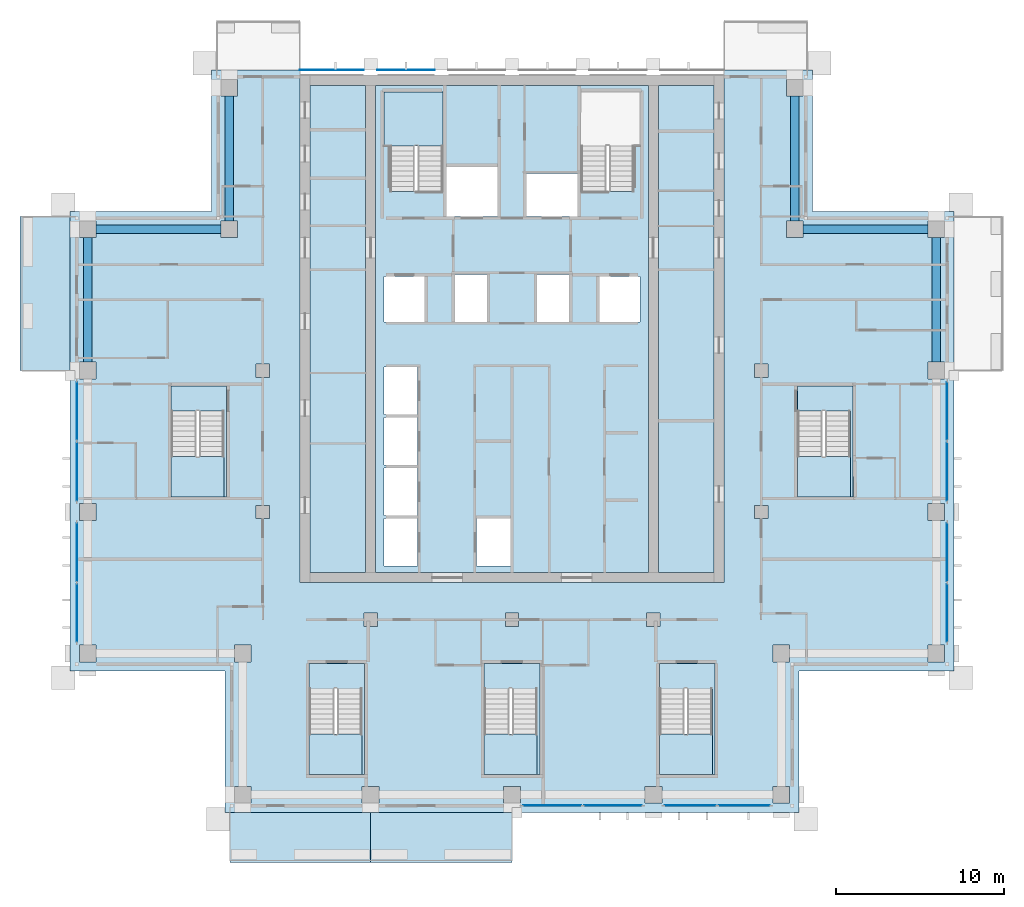
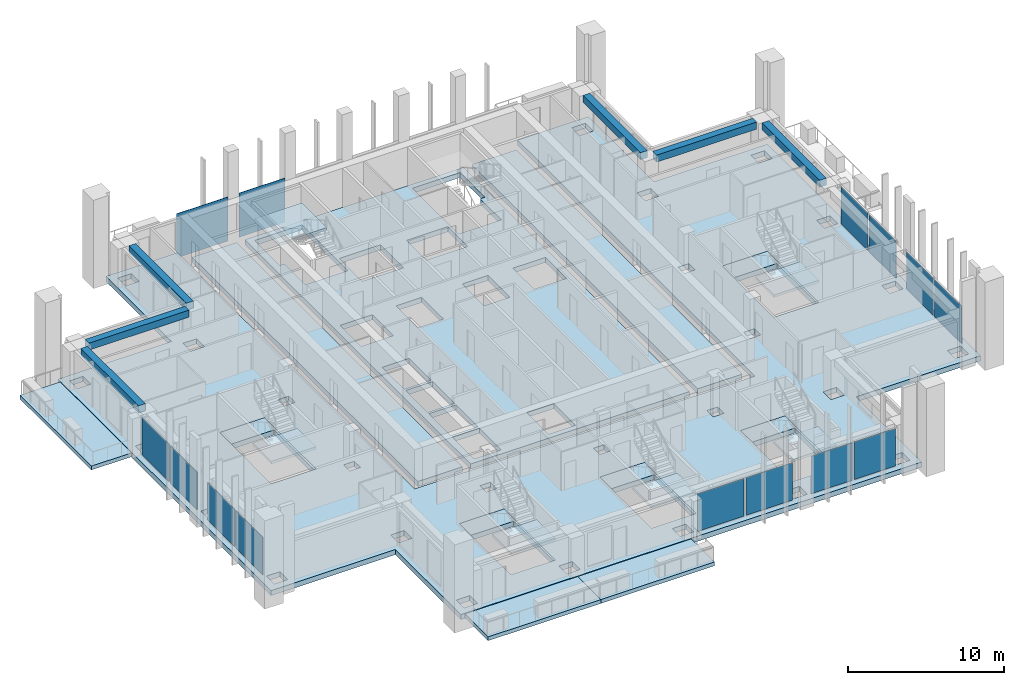
# One storey, part 5 of 16: 18 slabs, 14 plates, 6 beams, 12 elements without a shape of their own.
"""IFC4 building model written with IfcOpenShell, lengths in metres."""

import ifcopenshell
import ifcopenshell.guid

model = None  # the IFC model being written
_history = None  # IfcOwnerHistory: only IFC2X3 demands one
_inside = {}  # id of a spatial element -> (the spatial element, [elements in it])
_under = {}  # id of a project, library or spatial element -> (it, [spatial elements below it])
_declared = {}  # id of a project -> (the project, [libraries it declares])
_typed = {}  # id of a type object -> (the type object, [elements of that type])
_made_of = {}  # id of a material, layer set ... -> (it, [elements and type objects made of it])


def new_model(schema):
    """Start an empty IFC model of exactly this schema.

    Asked for "IFC4X3", IfcOpenShell would pick the latest addendum, in which some entities
    have other attributes; the version numbers below select the first issue.
    IFC2X3 requires an IfcOwnerHistory on every rooted entity: one is made here for all.
    """
    global model, _history
    if schema == "IFC4X3":
        model = ifcopenshell.file(schema_version=(4, 3, 0, 0))
    else:
        model = ifcopenshell.file(schema=schema)
    _inside.clear()
    _under.clear()
    _declared.clear()
    _typed.clear()
    _made_of.clear()
    _history = None
    if model.schema == "IFC2X3":
        org = make("IfcOrganization", Name="unknown")
        user = make(
            "IfcPersonAndOrganization",
            ThePerson=make("IfcPerson", FamilyName="unknown"),
            TheOrganization=org,
        )
        app = make(
            "IfcApplication",
            ApplicationDeveloper=org,
            Version="unknown",
            ApplicationFullName="unknown",
            ApplicationIdentifier="unknown",
        )
        _history = make(
            "IfcOwnerHistory",
            OwningUser=user,
            OwningApplication=app,
            ChangeAction="ADDED",
            CreationDate=0,
        )
    return model


def make(cls, **values):
    """One entity of the class cls with the attributes given. An attribute that is None is left unset."""
    return model.create_entity(
        cls, **{name: value for name, value in values.items() if value is not None}
    )


def rooted(cls, **values):
    """An entity with a GlobalId (a new one), such as an element, a storey or a relation."""
    return make(cls, GlobalId=ifcopenshell.guid.new(), OwnerHistory=_history, **values)


def si_unit(unit_type, name, prefix=None):
    """IfcSIUnit, for example si_unit("LENGTHUNIT", "METRE", prefix="MILLI")."""
    return make("IfcSIUnit", UnitType=unit_type, Prefix=prefix, Name=name)


def assignment(units):
    """IfcUnitAssignment: the units of a project."""
    return None if units is None else make("IfcUnitAssignment", Units=units)


def point(xyz):
    """IfcCartesianPoint."""
    return None if xyz is None else make("IfcCartesianPoint", Coordinates=xyz)


def direction(xyz):
    """IfcDirection."""
    return None if xyz is None else make("IfcDirection", DirectionRatios=xyz)


def frame(location, z_axis=None, x_axis=None):
    """IfcAxis2Placement3D, a coordinate frame: its origin and axes. An axis left out is left unset."""
    return make(
        "IfcAxis2Placement3D",
        Location=point(location),
        Axis=direction(z_axis),
        RefDirection=direction(x_axis),
    )


def frame_2d(location, x_axis=None):
    """IfcAxis2Placement2D, a coordinate frame in the plane: its origin and x axis."""
    return make(
        "IfcAxis2Placement2D", Location=point(location), RefDirection=direction(x_axis)
    )


def origin():
    """The frame at (0, 0, 0) with its axes left unset."""
    return frame((0.0, 0.0, 0.0))


def origin_2d():
    """The frame at (0, 0) in the plane with its x axis left unset."""
    return frame_2d((0.0, 0.0))


def place(relative_to, where):
    """IfcLocalPlacement: puts the frame where relative to a parent placement (None: the world)."""
    return make(
        "IfcLocalPlacement", PlacementRelTo=relative_to, RelativePlacement=where
    )


def context(
    kind, dimensions, precision=None, world=None, true_north=None, identifier=None
):
    """IfcGeometricRepresentationContext, for example the 3D "Model" context."""
    return make(
        "IfcGeometricRepresentationContext",
        ContextIdentifier=identifier,
        ContextType=kind,
        CoordinateSpaceDimension=dimensions,
        Precision=precision,
        WorldCoordinateSystem=world,
        TrueNorth=true_north,
    )


def subcontext(parent, identifier, kind, view, scale=None):
    """IfcGeometricRepresentationSubContext, for example "Body" below "Model"."""
    return make(
        "IfcGeometricRepresentationSubContext",
        ContextIdentifier=identifier,
        ContextType=kind,
        ParentContext=parent,
        TargetScale=scale,
        TargetView=view,
    )


def project(units=None, contexts=None):
    """IfcProject with its units and contexts."""
    return rooted(
        "IfcProject",
        Name="project",
        RepresentationContexts=contexts,
        UnitsInContext=assignment(units),
    )


def spatial(cls, under=None, at=None, **own):
    """A site, building, storey or space (cls), placed at a placement, below another one or the project."""
    s = rooted(cls, ObjectPlacement=at, **own)
    if under is not None:
        _under.setdefault(under.id(), (under, []))[1].append(s)
    return s


def polyline(points):
    """IfcPolyline through the points."""
    return make("IfcPolyline", Points=[point(p) for p in points])


def profile(cls, at=None, kind="AREA", **sizes):
    """A parametric profile (cls). Its sizes go by their IFC names, for example OverallWidth=200.0."""
    return make(cls, ProfileType=kind, Position=at, **sizes)


def rectangle(**sizes):
    """IfcRectangleProfileDef."""
    return profile("IfcRectangleProfileDef", **sizes)


def outline(outer, holes=None, kind="AREA"):
    """IfcArbitraryClosedProfileDef: a profile drawn as a closed curve; with holes, ...WithVoids."""
    if holes is None:
        return make("IfcArbitraryClosedProfileDef", ProfileType=kind, OuterCurve=outer)
    return make(
        "IfcArbitraryProfileDefWithVoids",
        ProfileType=kind,
        OuterCurve=outer,
        InnerCurves=holes,
    )


def extrude(swept, where, along, depth):
    """IfcExtrudedAreaSolid: the profile swept, set in the frame where, extruded along a direction by depth."""
    return make(
        "IfcExtrudedAreaSolid",
        SweptArea=swept,
        Position=where,
        ExtrudedDirection=direction(along),
        Depth=depth,
    )


def shape(context_of_items, identifier, shape_type, items):
    """IfcShapeRepresentation: the items that make up one representation, for example the "Body"."""
    return make(
        "IfcShapeRepresentation",
        ContextOfItems=context_of_items,
        RepresentationIdentifier=identifier,
        RepresentationType=shape_type,
        Items=items,
    )


def material(Name=None, Category=None):
    """IfcMaterial."""
    return make("IfcMaterial", Name=Name, Category=Category)


def layer(
    of_material, thickness, ventilated=None, Name=None, Category=None, Priority=None
):
    """IfcMaterialLayer: one layer of a wall or slab, of a material (None: an air gap)."""
    return make(
        "IfcMaterialLayer",
        Material=of_material,
        LayerThickness=thickness,
        IsVentilated=ventilated,
        Name=Name,
        Category=Category,
        Priority=Priority,
    )


def layer_set(layers, Name=None):
    """IfcMaterialLayerSet."""
    return make("IfcMaterialLayerSet", MaterialLayers=layers, LayerSetName=Name)


def material_profile(
    of_material, cross_section, Name=None, Category=None, Priority=None
):
    """IfcMaterialProfile: a cross section and its material."""
    return make(
        "IfcMaterialProfile",
        Name=Name,
        Material=of_material,
        Profile=cross_section,
        Priority=Priority,
        Category=Category,
    )


def profile_set(profiles, Name=None, composite=None):
    """IfcMaterialProfileSet."""
    return make(
        "IfcMaterialProfileSet",
        Name=Name,
        MaterialProfiles=profiles,
        CompositeProfile=composite,
    )


def made_of(thing, what):
    """Note that an element or type object is made of a material, layer set ...; save() writes the relation."""
    if what is not None:
        _made_of.setdefault(what.id(), (what, []))[1].append(thing)
    return thing


def type_object(cls, material=None, **own):
    """A type object (cls), such as IfcWallType, which elements share."""
    return made_of(rooted(cls, **own), material)


def element(
    cls,
    number,
    at=None,
    inside=None,
    cuts=None,
    type_object=None,
    material=None,
    context=None,
    identifier="Body",
    shape_type=None,
    held_by="IfcProductDefinitionShape",
    body=None,
    shapes=None,
    **own,
):
    """One element of the class cls, such as IfcWall. Its Tag is "e" and its number.

    at: its placement. inside: the storey or other place that contains it. cuts: it is an
    opening in that element (IfcRelVoidsElement). A single representation is given by context,
    identifier, shape_type and body (its items); several are given by shapes. held_by: the class
    of the entity that holds the representations. save() writes the other relations.
    """
    e = rooted(cls, Tag="e%d" % number, ObjectPlacement=at, **own)
    if body is not None:
        shapes = [shape(context, identifier, shape_type, body)]
    if shapes is not None:
        e.Representation = make(held_by, Representations=shapes)
    if inside is not None:
        _inside.setdefault(inside.id(), (inside, []))[1].append(e)
    if cuts is not None:
        rooted(
            "IfcRelVoidsElement", RelatingBuildingElement=cuts, RelatedOpeningElement=e
        )
    if type_object is not None:
        _typed.setdefault(type_object.id(), (type_object, []))[1].append(e)
    return made_of(e, material)


def aggregate(whole, parts):
    """IfcRelAggregates: a whole, such as a stair, and the parts it consists of."""
    return rooted("IfcRelAggregates", RelatingObject=whole, RelatedObjects=parts)


def save(model, path):
    """Write the relations noted so far, then the file.

    IfcRelAggregates (storeys below a building ...), IfcRelContainedInSpatialStructure (elements
    in a storey), IfcRelDefinesByType, IfcRelAssociatesMaterial and IfcRelDeclares: one each for
    every whole, place, type object, material and project.
    """
    for whole, parts in _under.values():
        aggregate(whole, parts)
    for where, things in _inside.values():
        rooted(
            "IfcRelContainedInSpatialStructure",
            RelatedElements=things,
            RelatingStructure=where,
        )
    for kind, things in _typed.values():
        rooted("IfcRelDefinesByType", RelatedObjects=things, RelatingType=kind)
    for what, things in _made_of.values():
        rooted("IfcRelAssociatesMaterial", RelatedObjects=things, RelatingMaterial=what)
    for by, libraries in _declared.values():
        rooted("IfcRelDeclares", RelatingContext=by, RelatedDefinitions=libraries)
    model.write(path)


model = new_model("IFC4")

# Units and contexts
model_context = context("Model", 3, precision=1e-05, world=origin(), true_north=direction((0.0, 1.0)))
body_context = subcontext(model_context, "Body", "Model", "MODEL_VIEW")
ifc_project = project(units=[si_unit("LENGTHUNIT", "METRE"), si_unit("AREAUNIT", "SQUARE_METRE"), si_unit("VOLUMEUNIT", "CUBIC_METRE"), si_unit("PLANEANGLEUNIT", "RADIAN"), si_unit("MASSUNIT", "GRAM", prefix="KILO")], contexts=[model_context])

# Site, building, storey
site_placement = place(None, origin())
site = spatial("IfcSite", under=ifc_project, at=site_placement, CompositionType="ELEMENT")
building_placement = place(site_placement, origin())
building = spatial("IfcBuilding", under=site, at=building_placement, Name="Vermilion Ogive Tower", CompositionType="ELEMENT")
storey_placement = place(building_placement, frame((0.0, 0.0, 206.60009765625)))
storey = spatial("IfcBuildingStorey", under=building, at=storey_placement, Name="L54", CompositionType="ELEMENT", Elevation=206.60009765625)

# Beams
ifc_material_1 = material(Name="Concrete B45", Category="concrete")
ifc_material_profile = material_profile(ifc_material_1, rectangle(XDim=0.5, YDim=0.550048828125, at=origin_2d()), Name="500 x 550")
ifc_profile_set = profile_set([ifc_material_profile], Name="Concrete B45")
beam_type = type_object("IfcBeamType", Name="Edge beam 500 x 550 B45", PredefinedType="BEAM", material=ifc_profile_set)
beam_1_placement = place(storey_placement, frame((25.199951171875, 4.699951171875, 2.77490234375), z_axis=(0.0, 1.0, 0.0), x_axis=(-1.0, 0.0, 0.0)))
element("IfcBeam", 1, at=beam_1_placement, inside=storey, type_object=beam_type, Name="L54-EB-9", PredefinedType="BEAM", context=body_context, shape_type="SweptSolid", body=[
    extrude(rectangle(XDim=0.5, YDim=0.550048828125, at=origin_2d()), origin(), (0.0, 0.0, 1.0), 7.400146484375),
])
for number, where, z_axis, x_axis, name in (
    (2, (24.699951171875, 12.60009765625, 2.77490234375), (-1.0, 0.0, 0.0), (0.0, -1.0, 0.0), "L54-EB-10"),
    (3, (16.800048828125, 13.10009765625, 2.77490234375), (0.0, 1.0, 0.0), (-1.0, 0.0, 0.0), "L54-EB-11"),
    (4, (-16.800048828125, 20.5, 2.77490234375), (0.0, -1.0, 0.0), (1.0, 0.0, 0.0), "L54-EB-12"),
    (5, (-17.300048828125, 12.60009765625, 2.77490234375), (-1.0, 0.0, 0.0), (0.0, -1.0, 0.0), "L54-EB-13"),
):
    element("IfcBeam", number, at=place(storey_placement, frame(where, z_axis=z_axis, x_axis=x_axis)), inside=storey, type_object=beam_type, Name=name, PredefinedType="BEAM", context=body_context, shape_type="SweptSolid", body=[
        extrude(rectangle(XDim=0.5, YDim=0.550048828125, at=origin_2d()), origin(), (0.0, 0.0, 1.0), 7.39990234375),
    ])
beam_2_placement = place(storey_placement, frame((-25.199951171875, 12.10009765625, 2.77490234375), z_axis=(0.0, -1.0, 0.0), x_axis=(1.0, 0.0, 0.0)))
element("IfcBeam", 6, at=beam_2_placement, inside=storey, type_object=beam_type, Name="L54-EB-14", PredefinedType="BEAM", context=body_context, shape_type="SweptSolid", body=[
    extrude(rectangle(XDim=0.5, YDim=0.550048828125, at=origin_2d()), origin(), (0.0, 0.0, 1.0), 7.400146484375),
])

# Slabs
ifc_material_2 = material(Name="Concrete B40", Category="concrete")
ifc_layer_1 = layer(ifc_material_2, 0.300048828125)
ifc_layer_set_1 = layer_set([ifc_layer_1], Name="Balcony slab")
slab_type_1 = type_object("IfcSlabType", Name="Balcony slab", PredefinedType="FLOOR", material=ifc_layer_set_1)
slab_1_placement = place(storey_placement, frame((0.0, 0.0, -0.340087890625)))
element("IfcSlab", 7, at=slab_1_placement, inside=storey, type_object=slab_type_1, Name="Balcony slab S01", PredefinedType="FLOOR", context=body_context, shape_type="SweptSolid", body=[
    extrude(outline(polyline([(-16.75, -25.030029296875), (-8.39990234375, -25.030029296875), (-8.39990234375, -22.050048828125), (-16.75, -22.050048828125), (-16.75, -25.030029296875)])), origin(), (0.0, 0.0, 1.0), 0.300048828125),
])
slab_2_placement = place(storey_placement, frame((0.0, 0.0, -0.340087890625)))
element("IfcSlab", 8, at=slab_2_placement, inside=storey, type_object=slab_type_1, Name="Balcony slab S02", PredefinedType="FLOOR", context=body_context, shape_type="SweptSolid", body=[
    extrude(outline(polyline([(-8.39990234375, -25.030029296875), (0.0, -25.030029296875), (0.0, -22.050048828125), (-8.39990234375, -22.050048828125), (-8.39990234375, -25.030029296875)])), origin(), (0.0, 0.0, 1.0), 0.300048828125),
])
slab_3_placement = place(storey_placement, frame((0.0, 0.0, -0.340087890625)))
element("IfcSlab", 9, at=slab_3_placement, inside=storey, type_object=slab_type_1, Name="Balcony slab W01", PredefinedType="FLOOR", context=body_context, shape_type="SweptSolid", body=[
    extrude(outline(polyline([(-29.22998046875, 13.35009765625), (-29.22998046875, 4.199951171875), (-26.25, 4.199951171875), (-26.25, 13.35009765625), (-29.22998046875, 13.35009765625)])), origin(), (0.0, 0.0, 1.0), 0.300048828125),
])

# Curtain wall, plates
ifc_material_3 = material(Name="Low-iron laminated glazing in aluminium frame", Category="aluminium")
curtain_wall_type = type_object("IfcCurtainWallType", Name="Curtain wall CW7", PredefinedType="NOTDEFINED", material=ifc_material_3)
curtain_wall_1_placement = place(storey_placement, origin())
curtain_wall_1 = element("IfcCurtainWall", 10, at=curtain_wall_1_placement, inside=storey, type_object=curtain_wall_type, Name="Glazed skin S3", PredefinedType="NOTDEFINED")
ifc_material_4 = material(Name="Low-iron laminated glazing in aluminium frame", Category="aluminium")
ifc_layer_2 = layer(ifc_material_4, 0.031982421875)
ifc_layer_set_2 = layer_set([ifc_layer_2], Name="CW7 glazing panel 32")
plate_type_1 = type_object("IfcPlateType", Name="CW7 glazing panel 32", PredefinedType="CURTAIN_PANEL", material=ifc_layer_set_2)
plate_1_placement = place(storey_placement, frame((2.39501953125, -21.64990234375, 0.06005859375), z_axis=(0.0, 0.0, 1.0), x_axis=(1.0, 0.0, 0.0)))
plate_1 = element("IfcPlate", 11, at=plate_1_placement, type_object=plate_type_1, Name="CW7-S3 panel 1.1", PredefinedType="CURTAIN_PANEL", context=body_context, shape_type="SweptSolid", body=[
    extrude(rectangle(XDim=3.429931640625, YDim=0.031982421875, at=origin_2d()), origin(), (0.0, 0.0, 1.0), 2.929931640625),
])
plate_2_placement = place(storey_placement, frame((6.0048828125, -21.64990234375, 0.06005859375), z_axis=(0.0, 0.0, 1.0), x_axis=(1.0, 0.0, 0.0)))
plate_2 = element("IfcPlate", 12, at=plate_2_placement, type_object=plate_type_1, Name="CW7-S3 panel 2.1", PredefinedType="CURTAIN_PANEL", context=body_context, shape_type="SweptSolid", body=[
    extrude(rectangle(XDim=3.429931640625, YDim=0.031982421875, at=origin_2d()), origin(), (0.0, 0.0, 1.0), 2.929931640625),
])
aggregate(curtain_wall_1, [plate_1, plate_2])

curtain_wall_2_placement = place(storey_placement, origin())
curtain_wall_2 = element("IfcCurtainWall", 13, at=curtain_wall_2_placement, inside=storey, type_object=curtain_wall_type, Name="Glazed skin S4", PredefinedType="NOTDEFINED")
plate_3_placement = place(storey_placement, frame((10.594970703125, -21.64990234375, 0.06005859375), z_axis=(0.0, 0.0, 1.0), x_axis=(1.0, 0.0, 0.0)))
plate_3 = element("IfcPlate", 14, at=plate_3_placement, type_object=plate_type_1, Name="CW7-S4 panel 1.1", PredefinedType="CURTAIN_PANEL", context=body_context, shape_type="SweptSolid", body=[
    extrude(rectangle(XDim=3.030029296875, YDim=0.031982421875, at=origin_2d()), origin(), (0.0, 0.0, 1.0), 2.929931640625),
])
plate_4_placement = place(storey_placement, frame((13.804931640625, -21.64990234375, 0.06005859375), z_axis=(0.0, 0.0, 1.0), x_axis=(1.0, 0.0, 0.0)))
plate_4 = element("IfcPlate", 15, at=plate_4_placement, type_object=plate_type_1, Name="CW7-S4 panel 2.1", PredefinedType="CURTAIN_PANEL", context=body_context, shape_type="SweptSolid", body=[
    extrude(rectangle(XDim=3.030029296875, YDim=0.031982421875, at=origin_2d()), origin(), (0.0, 0.0, 1.0), 2.929931640625),
])
aggregate(curtain_wall_2, [plate_3, plate_4])

curtain_wall_3_placement = place(storey_placement, origin())
curtain_wall_3 = element("IfcCurtainWall", 16, at=curtain_wall_3_placement, inside=storey, type_object=curtain_wall_type, Name="Glazed skin E1", PredefinedType="NOTDEFINED")
plate_5_placement = place(storey_placement, frame((25.85009765625, -10.205078125, 0.06005859375), z_axis=(0.0, 0.0, 1.0), x_axis=(0.0, 1.0, 0.0)))
plate_5 = element("IfcPlate", 17, at=plate_5_placement, type_object=plate_type_1, Name="CW7-E1 panel 1.1", PredefinedType="CURTAIN_PANEL", context=body_context, shape_type="SweptSolid", body=[
    extrude(rectangle(XDim=3.429931640625, YDim=0.031982421875, at=origin_2d()), origin(), (0.0, 0.0, 1.0), 2.929931640625),
])
plate_6_placement = place(storey_placement, frame((25.85009765625, -6.594970703125, 0.06005859375), z_axis=(0.0, 0.0, 1.0), x_axis=(0.0, 1.0, 0.0)))
plate_6 = element("IfcPlate", 18, at=plate_6_placement, type_object=plate_type_1, Name="CW7-E1 panel 2.1", PredefinedType="CURTAIN_PANEL", context=body_context, shape_type="SweptSolid", body=[
    extrude(rectangle(XDim=3.429931640625, YDim=0.031982421875, at=origin_2d()), origin(), (0.0, 0.0, 1.0), 2.929931640625),
])
aggregate(curtain_wall_3, [plate_5, plate_6])

curtain_wall_4_placement = place(storey_placement, origin())
curtain_wall_4 = element("IfcCurtainWall", 19, at=curtain_wall_4_placement, inside=storey, type_object=curtain_wall_type, Name="Glazed skin E2", PredefinedType="NOTDEFINED")
plate_7_placement = place(storey_placement, frame((25.85009765625, -1.804931640625, 0.06005859375), z_axis=(0.0, 0.0, 1.0), x_axis=(0.0, 1.0, 0.0)))
plate_7 = element("IfcPlate", 20, at=plate_7_placement, type_object=plate_type_1, Name="CW7-E2 panel 1.1", PredefinedType="CURTAIN_PANEL", context=body_context, shape_type="SweptSolid", body=[
    extrude(rectangle(XDim=3.429931640625, YDim=0.031982421875, at=origin_2d()), origin(), (0.0, 0.0, 1.0), 2.929931640625),
])
plate_8_placement = place(storey_placement, frame((25.85009765625, 1.804931640625, 0.06005859375), z_axis=(0.0, 0.0, 1.0), x_axis=(0.0, 1.0, 0.0)))
plate_8 = element("IfcPlate", 21, at=plate_8_placement, type_object=plate_type_1, Name="CW7-E2 panel 2.1", PredefinedType="CURTAIN_PANEL", context=body_context, shape_type="SweptSolid", body=[
    extrude(rectangle(XDim=3.429931640625, YDim=0.031982421875, at=origin_2d()), origin(), (0.0, 0.0, 1.0), 2.929931640625),
])
aggregate(curtain_wall_4, [plate_7, plate_8])

curtain_wall_5_placement = place(storey_placement, origin())
curtain_wall_5 = element("IfcCurtainWall", 22, at=curtain_wall_5_placement, inside=storey, type_object=curtain_wall_type, Name="Glazed skin W2", PredefinedType="NOTDEFINED")
plate_9_placement = place(storey_placement, frame((-25.85009765625, 1.804931640625, 0.06005859375), z_axis=(0.0, 0.0, 1.0), x_axis=(0.0, -1.0, 0.0)))
plate_9 = element("IfcPlate", 23, at=plate_9_placement, type_object=plate_type_1, Name="CW7-W2 panel 1.1", PredefinedType="CURTAIN_PANEL", context=body_context, shape_type="SweptSolid", body=[
    extrude(rectangle(XDim=3.429931640625, YDim=0.031982421875, at=origin_2d()), origin(), (0.0, 0.0, 1.0), 2.929931640625),
])
plate_10_placement = place(storey_placement, frame((-25.85009765625, -1.804931640625, 0.06005859375), z_axis=(0.0, 0.0, 1.0), x_axis=(0.0, -1.0, 0.0)))
plate_10 = element("IfcPlate", 24, at=plate_10_placement, type_object=plate_type_1, Name="CW7-W2 panel 2.1", PredefinedType="CURTAIN_PANEL", context=body_context, shape_type="SweptSolid", body=[
    extrude(rectangle(XDim=3.429931640625, YDim=0.031982421875, at=origin_2d()), origin(), (0.0, 0.0, 1.0), 2.929931640625),
])
aggregate(curtain_wall_5, [plate_9, plate_10])

curtain_wall_6_placement = place(storey_placement, origin())
curtain_wall_6 = element("IfcCurtainWall", 25, at=curtain_wall_6_placement, inside=storey, type_object=curtain_wall_type, Name="Glazed skin W3", PredefinedType="NOTDEFINED")
plate_11_placement = place(storey_placement, frame((-25.85009765625, -6.594970703125, 0.06005859375), z_axis=(0.0, 0.0, 1.0), x_axis=(0.0, -1.0, 0.0)))
plate_11 = element("IfcPlate", 26, at=plate_11_placement, type_object=plate_type_1, Name="CW7-W3 panel 1.1", PredefinedType="CURTAIN_PANEL", context=body_context, shape_type="SweptSolid", body=[
    extrude(rectangle(XDim=3.429931640625, YDim=0.031982421875, at=origin_2d()), origin(), (0.0, 0.0, 1.0), 2.929931640625),
])
plate_12_placement = place(storey_placement, frame((-25.85009765625, -10.205078125, 0.06005859375), z_axis=(0.0, 0.0, 1.0), x_axis=(0.0, -1.0, 0.0)))
plate_12 = element("IfcPlate", 27, at=plate_12_placement, type_object=plate_type_1, Name="CW7-W3 panel 2.1", PredefinedType="CURTAIN_PANEL", context=body_context, shape_type="SweptSolid", body=[
    extrude(rectangle(XDim=3.429931640625, YDim=0.031982421875, at=origin_2d()), origin(), (0.0, 0.0, 1.0), 2.929931640625),
])
aggregate(curtain_wall_6, [plate_11, plate_12])

# Slabs
ifc_material_5 = material(Name="Concrete B40", Category="concrete")
ifc_layer_3 = layer(ifc_material_5, 0.39990234375)
ifc_layer_set_3 = layer_set([ifc_layer_3], Name="Core floor slab 400 B40")
slab_type_2 = type_object("IfcSlabType", Name="Core floor slab 400 B40", PredefinedType="FLOOR", material=ifc_layer_set_3)
slab_4_placement = place(storey_placement, frame((0.0, 0.0, -0.400146484375)))
element("IfcSlab", 28, at=slab_4_placement, inside=storey, type_object=slab_type_2, Name="L54-CK-FS1", PredefinedType="FLOOR", context=body_context, shape_type="SweptSolid", body=[
    extrude(outline(polyline([(-11.99609375, 21.14599609375), (-8.7041015625, 21.14599609375), (-8.7041015625, -7.7958984375), (-11.99609375, -7.7958984375), (-11.99609375, 21.14599609375)])), origin(), (0.0, 0.0, 1.0), 0.400146484375),
])
slab_5_placement = place(storey_placement, frame((0.0, 0.0, -0.400146484375)))
element("IfcSlab", 29, at=slab_5_placement, inside=storey, type_object=slab_type_2, Name="L54-CK-FS2", PredefinedType="FLOOR", context=body_context, shape_type="SweptSolid", body=[
    extrude(outline(polyline([(-8.095947265625, -7.7958984375), (8.095947265625, -7.7958984375), (8.095947265625, 21.14599609375), (-8.095947265625, 21.14599609375), (-8.095947265625, -7.7958984375)]), holes=[polyline([(-7.60009765625, -7.39990234375), (-7.60009765625, -4.60009765625), (-5.60009765625, -4.60009765625), (-5.60009765625, -7.39990234375), (-7.60009765625, -7.39990234375)]), polyline([(-7.60009765625, -4.39990234375), (-7.60009765625, -1.60009765625), (-5.60009765625, -1.60009765625), (-5.60009765625, -4.39990234375), (-7.60009765625, -4.39990234375)]), polyline([(-7.60009765625, -1.39990234375), (-7.60009765625, 1.39990234375), (-5.60009765625, 1.39990234375), (-5.60009765625, -1.39990234375), (-7.60009765625, -1.39990234375)]), polyline([(-7.60009765625, 1.60009765625), (-7.60009765625, 4.39990234375), (-5.60009765625, 4.39990234375), (-5.60009765625, 1.60009765625), (-7.60009765625, 1.60009765625)]), polyline([(-7.60009765625, 7.10009765625), (-7.60009765625, 9.800048828125), (-5.199951171875, 9.800048828125), (-5.199951171875, 7.10009765625), (-7.60009765625, 7.10009765625)]), polyline([(-3.39990234375, 9.89990234375), (-1.5, 9.89990234375), (-1.5, 7.10009765625), (-3.39990234375, 7.10009765625), (-3.39990234375, 9.89990234375)]), polyline([(-7.60009765625, 17.550048828125), (-7.60009765625, 20.75), (-4.10009765625, 20.75), (-4.10009765625, 14.85205078125), (-5.60009765625, 14.85205078125), (-5.60009765625, 14.85009765625), (-5.75, 14.85009765625), (-5.75, 14.85205078125), (-7.25, 14.85205078125), (-7.25, 17.550048828125), (-7.60009765625, 17.550048828125)]), polyline([(-2.10009765625, -7.39990234375), (-2.10009765625, -4.60009765625), (-0.10009765625, -4.60009765625), (-0.10009765625, -7.39990234375), (-2.10009765625, -7.39990234375)]), polyline([(5.199951171875, 7.10009765625), (5.199951171875, 9.800048828125), (7.60009765625, 9.800048828125), (7.60009765625, 7.10009765625), (5.199951171875, 7.10009765625)]), polyline([(1.5, 7.10009765625), (1.5, 9.89990234375), (3.39990234375, 9.89990234375), (3.39990234375, 7.10009765625), (1.5, 7.10009765625)]), polyline([(0.85009765625, 13.35009765625), (0.85009765625, 15.89990234375), (3.89990234375, 15.89990234375), (3.89990234375, 13.35009765625), (0.85009765625, 13.35009765625)]), polyline([(-3.89990234375, 16.300048828125), (-0.85009765625, 16.300048828125), (-0.85009765625, 13.35009765625), (-3.89990234375, 13.35009765625), (-3.89990234375, 16.300048828125)]), polyline([(5.75, 14.85009765625), (5.60009765625, 14.85009765625), (5.60009765625, 14.85205078125), (4.10009765625, 14.85205078125), (4.10009765625, 17.550048828125), (4.074951171875, 17.550048828125), (4.074951171875, 20.75), (7.60009765625, 20.75), (7.60009765625, 17.550048828125), (7.25, 17.550048828125), (7.25, 14.85205078125), (5.75, 14.85205078125), (5.75, 14.85009765625)])]), origin(), (0.0, 0.0, 1.0), 0.400146484375),
])
slab_6_placement = place(storey_placement, frame((0.0, 0.0, -0.400146484375)))
element("IfcSlab", 30, at=slab_6_placement, inside=storey, type_object=slab_type_2, Name="L54-CK-FS3", PredefinedType="FLOOR", context=body_context, shape_type="SweptSolid", body=[
    extrude(outline(polyline([(11.99609375, 21.14599609375), (11.99609375, -7.7958984375), (8.7041015625, -7.7958984375), (8.7041015625, 21.14599609375), (11.99609375, 21.14599609375)])), origin(), (0.0, 0.0, 1.0), 0.400146484375),
])
slab_7_placement = place(storey_placement, frame((0.0, 0.0, -0.400146484375)))
element("IfcSlab", 31, at=slab_7_placement, inside=storey, type_object=slab_type_2, Name="L54-SF-ST3-1", PredefinedType="FLOOR", context=body_context, shape_type="SweptSolid", body=[
    extrude(outline(polyline([(-12.050048828125, -13.199951171875), (-12.050048828125, -14.701904296875), (-10.550048828125, -14.701904296875), (-10.550048828125, -14.699951171875), (-10.39990234375, -14.699951171875), (-10.39990234375, -14.701904296875), (-8.89990234375, -14.701904296875), (-8.89990234375, -19.800048828125), (-8.75, -19.800048828125), (-8.75, -13.199951171875), (-12.050048828125, -13.199951171875)])), origin(), (0.0, 0.0, 1.0), 0.400146484375),
])
slab_8_placement = place(storey_placement, frame((0.0, 0.0, -0.400146484375)))
element("IfcSlab", 32, at=slab_8_placement, inside=storey, type_object=slab_type_2, Name="L54-SF-ST4-1", PredefinedType="FLOOR", context=body_context, shape_type="SweptSolid", body=[
    extrude(outline(polyline([(-1.64990234375, -13.199951171875), (-1.64990234375, -14.701904296875), (-0.14990234375, -14.701904296875), (-0.14990234375, -14.699951171875), (0.0, -14.699951171875), (0.0, -14.701904296875), (1.5, -14.701904296875), (1.5, -19.800048828125), (1.64990234375, -19.800048828125), (1.64990234375, -13.199951171875), (-1.64990234375, -13.199951171875)])), origin(), (0.0, 0.0, 1.0), 0.400146484375),
])
slab_9_placement = place(storey_placement, frame((0.0, 0.0, -0.400146484375)))
element("IfcSlab", 33, at=slab_9_placement, inside=storey, type_object=slab_type_2, Name="L54-SF-ST5-1", PredefinedType="FLOOR", context=body_context, shape_type="SweptSolid", body=[
    extrude(outline(polyline([(8.75, -13.199951171875), (8.75, -14.701904296875), (10.25, -14.701904296875), (10.25, -14.699951171875), (10.39990234375, -14.699951171875), (10.39990234375, -14.701904296875), (11.89990234375, -14.701904296875), (11.89990234375, -19.800048828125), (12.050048828125, -19.800048828125), (12.050048828125, -13.199951171875), (8.75, -13.199951171875)])), origin(), (0.0, 0.0, 1.0), 0.400146484375),
])
slab_10_placement = place(storey_placement, frame((0.0, 0.0, -0.400146484375)))
element("IfcSlab", 34, at=slab_10_placement, inside=storey, type_object=slab_type_2, Name="L54-SF-ST8-1", PredefinedType="FLOOR", context=body_context, shape_type="SweptSolid", body=[
    extrude(outline(polyline([(16.949951171875, 3.300048828125), (16.949951171875, 1.798095703125), (18.449951171875, 1.798095703125), (18.449951171875, 1.800048828125), (18.60009765625, 1.800048828125), (18.60009765625, 1.798095703125), (20.10009765625, 1.798095703125), (20.10009765625, -3.300048828125), (20.25, -3.300048828125), (20.25, 3.300048828125), (16.949951171875, 3.300048828125)])), origin(), (0.0, 0.0, 1.0), 0.400146484375),
])
slab_11_placement = place(storey_placement, frame((0.0, 0.0, -0.400146484375)))
element("IfcSlab", 35, at=slab_11_placement, inside=storey, type_object=slab_type_2, Name="L54-SF-ST9-1", PredefinedType="FLOOR", context=body_context, shape_type="SweptSolid", body=[
    extrude(outline(polyline([(-20.25, 3.300048828125), (-20.25, 1.798095703125), (-18.75, 1.798095703125), (-18.75, 1.800048828125), (-18.60009765625, 1.800048828125), (-18.60009765625, 1.798095703125), (-17.10009765625, 1.798095703125), (-17.10009765625, -3.300048828125), (-16.949951171875, -3.300048828125), (-16.949951171875, 3.300048828125), (-20.25, 3.300048828125)])), origin(), (0.0, 0.0, 1.0), 0.400146484375),
])

# Plates
ifc_material_6 = material(Name="Low-iron laminated glazing in aluminium frame", Category="aluminium")
ifc_layer_4 = layer(ifc_material_6, 0.031982421875)
ifc_layer_set_4 = layer_set([ifc_layer_4], Name="Glazed rainscreen sheet 32")
plate_type_2 = type_object("IfcPlateType", Name="Glazed rainscreen sheet 32", PredefinedType="SHEET", material=ifc_layer_set_4)
plate_13_placement = place(storey_placement, frame((-10.7099609375, 22.06591796875, -0.39990234375), z_axis=(0.0, 0.0, 1.0), x_axis=(1.0, 0.0, 0.0)))
element("IfcPlate", 36, at=plate_13_placement, inside=storey, type_object=plate_type_2, Name="Glazed rainscreen sheet N1", PredefinedType="SHEET", context=body_context, shape_type="SweptSolid", body=[
    extrude(rectangle(XDim=3.820068359375, YDim=0.031982421875, at=origin_2d()), origin(), (0.0, 0.0, 1.0), 3.449951171875),
])
plate_14_placement = place(storey_placement, frame((-6.300048828125, 22.06591796875, -0.39990234375), z_axis=(0.0, 0.0, 1.0), x_axis=(1.0, 0.0, 0.0)))
element("IfcPlate", 37, at=plate_14_placement, inside=storey, type_object=plate_type_2, Name="Glazed rainscreen sheet N2", PredefinedType="SHEET", context=body_context, shape_type="SweptSolid", body=[
    extrude(rectangle(XDim=3.39990234375, YDim=0.031982421875, at=origin_2d()), origin(), (0.0, 0.0, 1.0), 3.449951171875),
])

# Slab
ifc_material_7 = material(Name="Concrete B45", Category="concrete")
ifc_layer_5 = layer(ifc_material_7, 0.39990234375)
ifc_layer_set_5 = layer_set([ifc_layer_5], Name="Post-tensioned flat plate 400 B45")
slab_type_3 = type_object("IfcSlabType", Name="Post-tensioned flat plate 400 B45", PredefinedType="FLOOR", material=ifc_layer_set_5)
slab_12_placement = place(storey_placement, frame((0.0, 0.0, -0.400146484375)))
element("IfcSlab", 38, at=slab_12_placement, inside=storey, type_object=slab_type_3, Name="L54-SL-1", PredefinedType="FLOOR", context=body_context, shape_type="SweptSolid", body=[
    extrude(outline(polyline([(-26.25, -13.64990234375), (-17.050048828125, -13.64990234375), (-17.050048828125, -22.050048828125), (17.050048828125, -22.050048828125), (17.050048828125, -13.64990234375), (26.25, -13.64990234375), (26.25, 13.64990234375), (17.85009765625, 13.64990234375), (17.85009765625, 22.050048828125), (12.60009765625, 22.050048828125), (12.60009765625, -8.39990234375), (-12.60009765625, -8.39990234375), (-12.60009765625, 22.050048828125), (-17.85009765625, 22.050048828125), (-17.85009765625, 13.64990234375), (-26.25, 13.64990234375), (-26.25, -13.64990234375)]), holes=[polyline([(25.699951171875, -3.699951171875), (25.699951171875, -4.699951171875), (24.699951171875, -4.699951171875), (24.699951171875, -3.699951171875), (25.699951171875, -3.699951171875)]), polyline([(25.699951171875, -12.10009765625), (25.699951171875, -13.10009765625), (24.699951171875, -13.10009765625), (24.699951171875, -12.10009765625), (25.699951171875, -12.10009765625)]), polyline([(25.699951171875, 12.10009765625), (24.699951171875, 12.10009765625), (24.699951171875, 13.10009765625), (25.699951171875, 13.10009765625), (25.699951171875, 12.10009765625)]), polyline([(25.699951171875, 3.699951171875), (24.699951171875, 3.699951171875), (24.699951171875, 4.699951171875), (25.699951171875, 4.699951171875), (25.699951171875, 3.699951171875)]), polyline([(20.25, 3.300048828125), (20.25, -3.300048828125), (16.949951171875, -3.300048828125), (16.949951171875, 3.300048828125), (20.25, 3.300048828125)]), polyline([(17.300048828125, 13.10009765625), (17.300048828125, 12.10009765625), (16.300048828125, 12.10009765625), (16.300048828125, 13.10009765625), (17.300048828125, 13.10009765625)]), polyline([(17.300048828125, 20.5), (16.300048828125, 20.5), (16.300048828125, 21.5), (17.300048828125, 21.5), (17.300048828125, 20.5)]), polyline([(16.5, -12.10009765625), (16.5, -13.10009765625), (15.5, -13.10009765625), (15.5, -12.10009765625), (16.5, -12.10009765625)]), polyline([(16.5, -20.5), (16.5, -21.5), (15.5, -21.5), (15.5, -20.5), (16.5, -20.5)]), polyline([(15.199951171875, 4.60009765625), (15.199951171875, 3.800048828125), (14.39990234375, 3.800048828125), (14.39990234375, 4.60009765625), (15.199951171875, 4.60009765625)]), polyline([(15.199951171875, -4.60009765625), (14.39990234375, -4.60009765625), (14.39990234375, -3.800048828125), (15.199951171875, -3.800048828125), (15.199951171875, -4.60009765625)]), polyline([(12.050048828125, -13.199951171875), (12.050048828125, -19.800048828125), (8.75, -19.800048828125), (8.75, -13.199951171875), (12.050048828125, -13.199951171875)]), polyline([(8.89990234375, -20.5), (8.89990234375, -21.5), (7.89990234375, -21.5), (7.89990234375, -20.5), (8.89990234375, -20.5)]), polyline([(8.800048828125, -11.0), (8.0, -11.0), (8.0, -10.199951171875), (8.800048828125, -10.199951171875), (8.800048828125, -11.0)]), polyline([(1.64990234375, -13.199951171875), (1.64990234375, -19.800048828125), (-1.64990234375, -19.800048828125), (-1.64990234375, -13.199951171875), (1.64990234375, -13.199951171875)]), polyline([(0.5, -20.5), (0.5, -21.5), (-0.5, -21.5), (-0.5, -20.5), (0.5, -20.5)]), polyline([(0.39990234375, -10.199951171875), (0.39990234375, -11.0), (-0.39990234375, -11.0), (-0.39990234375, -10.199951171875), (0.39990234375, -10.199951171875)]), polyline([(-7.89990234375, -20.5), (-7.89990234375, -21.5), (-8.89990234375, -21.5), (-8.89990234375, -20.5), (-7.89990234375, -20.5)]), polyline([(-8.0, -10.199951171875), (-8.0, -11.0), (-8.800048828125, -11.0), (-8.800048828125, -10.199951171875), (-8.0, -10.199951171875)]), polyline([(-8.75, -13.199951171875), (-8.75, -19.800048828125), (-12.050048828125, -19.800048828125), (-12.050048828125, -13.199951171875), (-8.75, -13.199951171875)]), polyline([(-14.39990234375, 4.60009765625), (-14.39990234375, 3.800048828125), (-15.199951171875, 3.800048828125), (-15.199951171875, 4.60009765625), (-14.39990234375, 4.60009765625)]), polyline([(-14.39990234375, -4.60009765625), (-15.199951171875, -4.60009765625), (-15.199951171875, -3.800048828125), (-14.39990234375, -3.800048828125), (-14.39990234375, -4.60009765625)]), polyline([(-15.5, -12.10009765625), (-15.5, -13.10009765625), (-16.5, -13.10009765625), (-16.5, -12.10009765625), (-15.5, -12.10009765625)]), polyline([(-15.5, -20.5), (-15.5, -21.5), (-16.5, -21.5), (-16.5, -20.5), (-15.5, -20.5)]), polyline([(-16.300048828125, 13.10009765625), (-16.300048828125, 12.10009765625), (-17.300048828125, 12.10009765625), (-17.300048828125, 13.10009765625), (-16.300048828125, 13.10009765625)]), polyline([(-16.300048828125, 20.5), (-17.300048828125, 20.5), (-17.300048828125, 21.5), (-16.300048828125, 21.5), (-16.300048828125, 20.5)]), polyline([(-16.949951171875, 3.300048828125), (-16.949951171875, -3.300048828125), (-20.25, -3.300048828125), (-20.25, -3.2998046875), (-20.275146484375, -3.2998046875), (-20.275146484375, -0.89990234375), (-20.25, -0.89990234375), (-20.25, 3.300048828125), (-16.949951171875, 3.300048828125)]), polyline([(-24.699951171875, 3.699951171875), (-25.699951171875, 3.699951171875), (-25.699951171875, 4.699951171875), (-24.699951171875, 4.699951171875), (-24.699951171875, 3.699951171875)]), polyline([(-24.699951171875, 13.10009765625), (-24.699951171875, 12.10009765625), (-25.699951171875, 12.10009765625), (-25.699951171875, 13.10009765625), (-24.699951171875, 13.10009765625)]), polyline([(-24.699951171875, -3.699951171875), (-24.699951171875, -4.699951171875), (-25.699951171875, -4.699951171875), (-25.699951171875, -3.699951171875), (-24.699951171875, -3.699951171875)]), polyline([(-24.699951171875, -12.10009765625), (-24.699951171875, -13.10009765625), (-25.699951171875, -13.10009765625), (-25.699951171875, -12.10009765625), (-24.699951171875, -12.10009765625)])]), origin(), (0.0, 0.0, 1.0), 0.400146484375),
])

# Stair, slab
ifc_material_8 = material(Name="Concrete B40", Category="concrete")
stair_type = type_object("IfcStairType", Name="Exit stair 1500", PredefinedType="HALF_TURN_STAIR", material=ifc_material_8)
stair_1_placement = place(storey_placement, origin())
stair_1 = element("IfcStair", 39, at=stair_1_placement, inside=storey, type_object=stair_type, Name="L54 Exit Stair ST1", PredefinedType="HALF_TURN_STAIR")
ifc_material_9 = material(Name="Concrete B40", Category="concrete")
ifc_layer_6 = layer(ifc_material_9, 0.199951171875)
ifc_layer_set_6 = layer_set([ifc_layer_6], Name="Stair landing 200")
slab_type_4 = type_object("IfcSlabType", Name="Stair landing 200", PredefinedType="LANDING", material=ifc_layer_set_6)
slab_13_placement = place(storey_placement, frame((0.0, 0.0, 1.52490234375)))
slab_13 = element("IfcSlab", 40, at=slab_13_placement, type_object=slab_type_4, Name="ST1 landing 1", PredefinedType="LANDING", context=body_context, shape_type="SweptSolid", body=[
    extrude(outline(polyline([(-7.60009765625, 17.550048828125), (-7.25, 17.550048828125), (-7.25, 17.548095703125), (-5.75, 17.548095703125), (-5.75, 17.550048828125), (-5.60009765625, 17.550048828125), (-5.60009765625, 17.548095703125), (-4.10009765625, 17.548095703125), (-4.10009765625, 20.75), (-7.60009765625, 20.75), (-7.60009765625, 17.550048828125)])), origin(), (0.0, 0.0, 1.0), 0.199951171875),
])
aggregate(stair_1, [slab_13])

stair_2_placement = place(storey_placement, origin())
stair_2 = element("IfcStair", 41, at=stair_2_placement, inside=storey, type_object=stair_type, Name="L54 Exit Stair ST3", PredefinedType="HALF_TURN_STAIR")
slab_14_placement = place(storey_placement, frame((0.0, 0.0, 1.52490234375)))
slab_14 = element("IfcSlab", 42, at=slab_14_placement, type_object=slab_type_4, Name="ST3 landing 1", PredefinedType="LANDING", context=body_context, shape_type="SweptSolid", body=[
    extrude(outline(polyline([(-8.75, -17.39990234375), (-8.89990234375, -17.39990234375), (-8.89990234375, -17.39794921875), (-10.39990234375, -17.39794921875), (-10.39990234375, -17.39990234375), (-10.550048828125, -17.39990234375), (-10.550048828125, -17.39794921875), (-12.050048828125, -17.39794921875), (-12.050048828125, -19.800048828125), (-8.75, -19.800048828125), (-8.75, -17.39990234375)])), origin(), (0.0, 0.0, 1.0), 0.199951171875),
])
aggregate(stair_2, [slab_14])

stair_3_placement = place(storey_placement, origin())
stair_3 = element("IfcStair", 43, at=stair_3_placement, inside=storey, type_object=stair_type, Name="L54 Exit Stair ST4", PredefinedType="HALF_TURN_STAIR")
slab_15_placement = place(storey_placement, frame((0.0, 0.0, 1.52490234375)))
slab_15 = element("IfcSlab", 44, at=slab_15_placement, type_object=slab_type_4, Name="ST4 landing 1", PredefinedType="LANDING", context=body_context, shape_type="SweptSolid", body=[
    extrude(outline(polyline([(1.64990234375, -17.39990234375), (1.5, -17.39990234375), (1.5, -17.39794921875), (0.0, -17.39794921875), (0.0, -17.39990234375), (-0.14990234375, -17.39990234375), (-0.14990234375, -17.39794921875), (-1.64990234375, -17.39794921875), (-1.64990234375, -19.7998046875), (1.64990234375, -19.7998046875), (1.64990234375, -17.39990234375)])), origin(), (0.0, 0.0, 1.0), 0.199951171875),
])
aggregate(stair_3, [slab_15])

stair_4_placement = place(storey_placement, origin())
stair_4 = element("IfcStair", 45, at=stair_4_placement, inside=storey, type_object=stair_type, Name="L54 Exit Stair ST5", PredefinedType="HALF_TURN_STAIR")
slab_16_placement = place(storey_placement, frame((0.0, 0.0, 1.52490234375)))
slab_16 = element("IfcSlab", 46, at=slab_16_placement, type_object=slab_type_4, Name="ST5 landing 1", PredefinedType="LANDING", context=body_context, shape_type="SweptSolid", body=[
    extrude(outline(polyline([(12.050048828125, -17.39990234375), (11.89990234375, -17.39990234375), (11.89990234375, -17.39794921875), (10.39990234375, -17.39794921875), (10.39990234375, -17.39990234375), (10.25, -17.39990234375), (10.25, -17.39794921875), (8.75, -17.39794921875), (8.75, -19.800048828125), (12.050048828125, -19.800048828125), (12.050048828125, -17.39990234375)])), origin(), (0.0, 0.0, 1.0), 0.199951171875),
])
aggregate(stair_4, [slab_16])

stair_5_placement = place(storey_placement, origin())
stair_5 = element("IfcStair", 47, at=stair_5_placement, inside=storey, type_object=stair_type, Name="L54 Exit Stair ST8", PredefinedType="HALF_TURN_STAIR")
slab_17_placement = place(storey_placement, frame((0.0, 0.0, 1.52490234375)))
slab_17 = element("IfcSlab", 48, at=slab_17_placement, type_object=slab_type_4, Name="ST8 landing 1", PredefinedType="LANDING", context=body_context, shape_type="SweptSolid", body=[
    extrude(outline(polyline([(20.275146484375, -0.89990234375), (20.10009765625, -0.89990234375), (20.10009765625, -0.89794921875), (18.60009765625, -0.89794921875), (18.60009765625, -0.89990234375), (18.449951171875, -0.89990234375), (18.449951171875, -0.89794921875), (16.949951171875, -0.89794921875), (16.949951171875, -0.902099609375), (16.9501953125, -0.902099609375), (16.9501953125, -3.2998046875), (20.275146484375, -3.2998046875), (20.275146484375, -0.89990234375)])), origin(), (0.0, 0.0, 1.0), 0.199951171875),
])
aggregate(stair_5, [slab_17])

stair_6_placement = place(storey_placement, origin())
stair_6 = element("IfcStair", 49, at=stair_6_placement, inside=storey, type_object=stair_type, Name="L54 Exit Stair ST9", PredefinedType="HALF_TURN_STAIR")
slab_18_placement = place(storey_placement, frame((0.0, 0.0, 1.52490234375)))
slab_18 = element("IfcSlab", 50, at=slab_18_placement, type_object=slab_type_4, Name="ST9 landing 1", PredefinedType="LANDING", context=body_context, shape_type="SweptSolid", body=[
    extrude(outline(polyline([(-16.9501953125, -0.89990234375), (-17.10009765625, -0.89990234375), (-17.10009765625, -0.89794921875), (-18.60009765625, -0.89794921875), (-18.60009765625, -0.89990234375), (-18.75, -0.89990234375), (-18.75, -0.89794921875), (-20.25, -0.89794921875), (-20.25, -0.89990234375), (-20.25, -0.89990234375), (-20.25, -3.2998046875), (-16.9501953125, -3.2998046875), (-16.9501953125, -0.89990234375)])), origin(), (0.0, 0.0, 1.0), 0.199951171875),
])
aggregate(stair_6, [slab_18])

save(model, "model.ifc")
